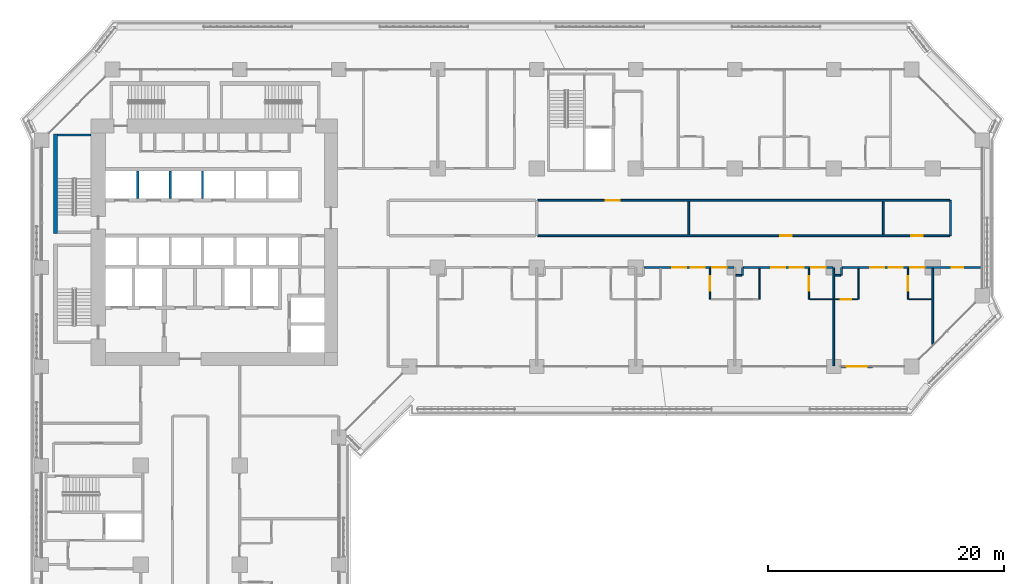
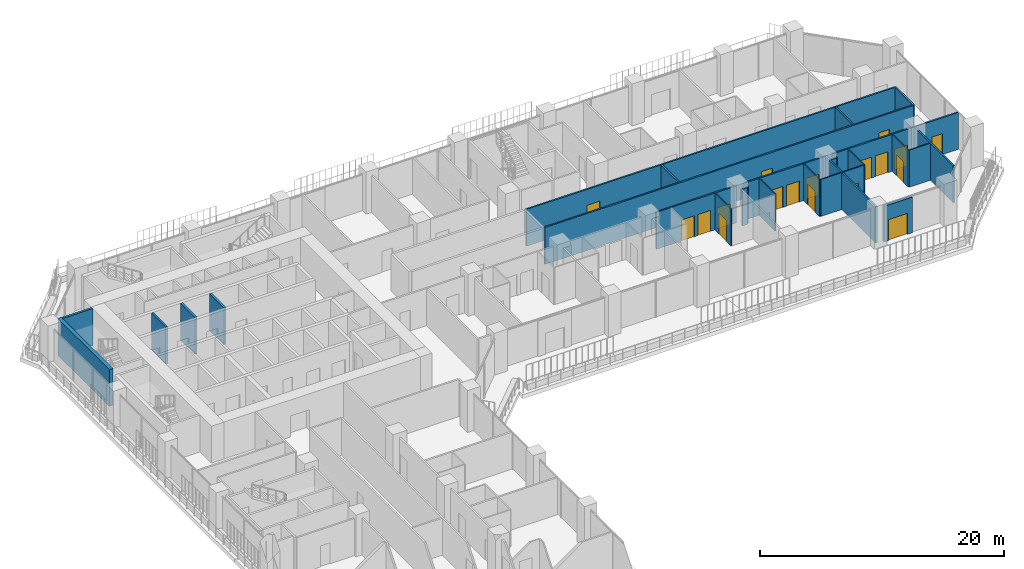
# One storey, part 17 of 28: 27 walls, 18 doors, 18 openings.
"""IFC4 building model written with IfcOpenShell, lengths in metres."""

import ifcopenshell
import ifcopenshell.guid

model = None  # the IFC model being written
_history = None  # IfcOwnerHistory: only IFC2X3 demands one
_inside = {}  # id of a spatial element -> (the spatial element, [elements in it])
_under = {}  # id of a project, library or spatial element -> (it, [spatial elements below it])
_declared = {}  # id of a project -> (the project, [libraries it declares])
_typed = {}  # id of a type object -> (the type object, [elements of that type])
_made_of = {}  # id of a material, layer set ... -> (it, [elements and type objects made of it])


def new_model(schema):
    """Start an empty IFC model of exactly this schema.

    Asked for "IFC4X3", IfcOpenShell would pick the latest addendum, in which some entities
    have other attributes; the version numbers below select the first issue.
    IFC2X3 requires an IfcOwnerHistory on every rooted entity: one is made here for all.
    """
    global model, _history
    if schema == "IFC4X3":
        model = ifcopenshell.file(schema_version=(4, 3, 0, 0))
    else:
        model = ifcopenshell.file(schema=schema)
    _inside.clear()
    _under.clear()
    _declared.clear()
    _typed.clear()
    _made_of.clear()
    _history = None
    if model.schema == "IFC2X3":
        org = make("IfcOrganization", Name="unknown")
        user = make(
            "IfcPersonAndOrganization",
            ThePerson=make("IfcPerson", FamilyName="unknown"),
            TheOrganization=org,
        )
        app = make(
            "IfcApplication",
            ApplicationDeveloper=org,
            Version="unknown",
            ApplicationFullName="unknown",
            ApplicationIdentifier="unknown",
        )
        _history = make(
            "IfcOwnerHistory",
            OwningUser=user,
            OwningApplication=app,
            ChangeAction="ADDED",
            CreationDate=0,
        )
    return model


def make(cls, **values):
    """One entity of the class cls with the attributes given. An attribute that is None is left unset."""
    return model.create_entity(
        cls, **{name: value for name, value in values.items() if value is not None}
    )


def rooted(cls, **values):
    """An entity with a GlobalId (a new one), such as an element, a storey or a relation."""
    return make(cls, GlobalId=ifcopenshell.guid.new(), OwnerHistory=_history, **values)


def si_unit(unit_type, name, prefix=None):
    """IfcSIUnit, for example si_unit("LENGTHUNIT", "METRE", prefix="MILLI")."""
    return make("IfcSIUnit", UnitType=unit_type, Prefix=prefix, Name=name)


def assignment(units):
    """IfcUnitAssignment: the units of a project."""
    return None if units is None else make("IfcUnitAssignment", Units=units)


def point(xyz):
    """IfcCartesianPoint."""
    return None if xyz is None else make("IfcCartesianPoint", Coordinates=xyz)


def direction(xyz):
    """IfcDirection."""
    return None if xyz is None else make("IfcDirection", DirectionRatios=xyz)


def frame(location, z_axis=None, x_axis=None):
    """IfcAxis2Placement3D, a coordinate frame: its origin and axes. An axis left out is left unset."""
    return make(
        "IfcAxis2Placement3D",
        Location=point(location),
        Axis=direction(z_axis),
        RefDirection=direction(x_axis),
    )


def frame_2d(location, x_axis=None):
    """IfcAxis2Placement2D, a coordinate frame in the plane: its origin and x axis."""
    return make(
        "IfcAxis2Placement2D", Location=point(location), RefDirection=direction(x_axis)
    )


def origin():
    """The frame at (0, 0, 0) with its axes left unset."""
    return frame((0.0, 0.0, 0.0))


def place(relative_to, where):
    """IfcLocalPlacement: puts the frame where relative to a parent placement (None: the world)."""
    return make(
        "IfcLocalPlacement", PlacementRelTo=relative_to, RelativePlacement=where
    )


def context(
    kind, dimensions, precision=None, world=None, true_north=None, identifier=None
):
    """IfcGeometricRepresentationContext, for example the 3D "Model" context."""
    return make(
        "IfcGeometricRepresentationContext",
        ContextIdentifier=identifier,
        ContextType=kind,
        CoordinateSpaceDimension=dimensions,
        Precision=precision,
        WorldCoordinateSystem=world,
        TrueNorth=true_north,
    )


def subcontext(parent, identifier, kind, view, scale=None):
    """IfcGeometricRepresentationSubContext, for example "Body" below "Model"."""
    return make(
        "IfcGeometricRepresentationSubContext",
        ContextIdentifier=identifier,
        ContextType=kind,
        ParentContext=parent,
        TargetScale=scale,
        TargetView=view,
    )


def project(units=None, contexts=None):
    """IfcProject with its units and contexts."""
    return rooted(
        "IfcProject",
        Name="project",
        RepresentationContexts=contexts,
        UnitsInContext=assignment(units),
    )


def spatial(cls, under=None, at=None, **own):
    """A site, building, storey or space (cls), placed at a placement, below another one or the project."""
    s = rooted(cls, ObjectPlacement=at, **own)
    if under is not None:
        _under.setdefault(under.id(), (under, []))[1].append(s)
    return s


def profile(cls, at=None, kind="AREA", **sizes):
    """A parametric profile (cls). Its sizes go by their IFC names, for example OverallWidth=200.0."""
    return make(cls, ProfileType=kind, Position=at, **sizes)


def rectangle(**sizes):
    """IfcRectangleProfileDef."""
    return profile("IfcRectangleProfileDef", **sizes)


def extrude(swept, where, along, depth):
    """IfcExtrudedAreaSolid: the profile swept, set in the frame where, extruded along a direction by depth."""
    return make(
        "IfcExtrudedAreaSolid",
        SweptArea=swept,
        Position=where,
        ExtrudedDirection=direction(along),
        Depth=depth,
    )


def shape(context_of_items, identifier, shape_type, items):
    """IfcShapeRepresentation: the items that make up one representation, for example the "Body"."""
    return make(
        "IfcShapeRepresentation",
        ContextOfItems=context_of_items,
        RepresentationIdentifier=identifier,
        RepresentationType=shape_type,
        Items=items,
    )


def material(Name=None, Category=None):
    """IfcMaterial."""
    return make("IfcMaterial", Name=Name, Category=Category)


def layer(
    of_material, thickness, ventilated=None, Name=None, Category=None, Priority=None
):
    """IfcMaterialLayer: one layer of a wall or slab, of a material (None: an air gap)."""
    return make(
        "IfcMaterialLayer",
        Material=of_material,
        LayerThickness=thickness,
        IsVentilated=ventilated,
        Name=Name,
        Category=Category,
        Priority=Priority,
    )


def layer_set(layers, Name=None):
    """IfcMaterialLayerSet."""
    return make("IfcMaterialLayerSet", MaterialLayers=layers, LayerSetName=Name)


def made_of(thing, what):
    """Note that an element or type object is made of a material, layer set ...; save() writes the relation."""
    if what is not None:
        _made_of.setdefault(what.id(), (what, []))[1].append(thing)
    return thing


def type_object(cls, material=None, **own):
    """A type object (cls), such as IfcWallType, which elements share."""
    return made_of(rooted(cls, **own), material)


def element(
    cls,
    number,
    at=None,
    inside=None,
    cuts=None,
    type_object=None,
    material=None,
    context=None,
    identifier="Body",
    shape_type=None,
    held_by="IfcProductDefinitionShape",
    body=None,
    shapes=None,
    **own,
):
    """One element of the class cls, such as IfcWall. Its Tag is "e" and its number.

    at: its placement. inside: the storey or other place that contains it. cuts: it is an
    opening in that element (IfcRelVoidsElement). A single representation is given by context,
    identifier, shape_type and body (its items); several are given by shapes. held_by: the class
    of the entity that holds the representations. save() writes the other relations.
    """
    e = rooted(cls, Tag="e%d" % number, ObjectPlacement=at, **own)
    if body is not None:
        shapes = [shape(context, identifier, shape_type, body)]
    if shapes is not None:
        e.Representation = make(held_by, Representations=shapes)
    if inside is not None:
        _inside.setdefault(inside.id(), (inside, []))[1].append(e)
    if cuts is not None:
        rooted(
            "IfcRelVoidsElement", RelatingBuildingElement=cuts, RelatedOpeningElement=e
        )
    if type_object is not None:
        _typed.setdefault(type_object.id(), (type_object, []))[1].append(e)
    return made_of(e, material)


def fill(opening, filler):
    """IfcRelFillsElement: the door or window that sits in an opening."""
    return rooted(
        "IfcRelFillsElement",
        RelatingOpeningElement=opening,
        RelatedBuildingElement=filler,
    )


def aggregate(whole, parts):
    """IfcRelAggregates: a whole, such as a stair, and the parts it consists of."""
    return rooted("IfcRelAggregates", RelatingObject=whole, RelatedObjects=parts)


def save(model, path):
    """Write the relations noted so far, then the file.

    IfcRelAggregates (storeys below a building ...), IfcRelContainedInSpatialStructure (elements
    in a storey), IfcRelDefinesByType, IfcRelAssociatesMaterial and IfcRelDeclares: one each for
    every whole, place, type object, material and project.
    """
    for whole, parts in _under.values():
        aggregate(whole, parts)
    for where, things in _inside.values():
        rooted(
            "IfcRelContainedInSpatialStructure",
            RelatedElements=things,
            RelatingStructure=where,
        )
    for kind, things in _typed.values():
        rooted("IfcRelDefinesByType", RelatedObjects=things, RelatingType=kind)
    for what, things in _made_of.values():
        rooted("IfcRelAssociatesMaterial", RelatedObjects=things, RelatingMaterial=what)
    for by, libraries in _declared.values():
        rooted("IfcRelDeclares", RelatingContext=by, RelatedDefinitions=libraries)
    model.write(path)


model = new_model("IFC4")

# Units and contexts
model_context = context("Model", 3, precision=1e-05, world=origin(), true_north=direction((0.0, 1.0)))
body_context = subcontext(model_context, "Body", "Model", "MODEL_VIEW")
ifc_project = project(units=[si_unit("LENGTHUNIT", "METRE"), si_unit("AREAUNIT", "SQUARE_METRE"), si_unit("VOLUMEUNIT", "CUBIC_METRE"), si_unit("PLANEANGLEUNIT", "RADIAN"), si_unit("MASSUNIT", "GRAM", prefix="KILO")], contexts=[model_context])

# Site, building, storey
site_placement = place(None, origin())
site = spatial("IfcSite", under=ifc_project, at=site_placement, CompositionType="ELEMENT")
building_placement = place(site_placement, origin())
building = spatial("IfcBuilding", under=site, at=building_placement, Name="Kawkab Arch Medical Tower", CompositionType="ELEMENT")
storey_placement = place(building_placement, frame((0.0, 0.0, 89.60009765625)))
storey = spatial("IfcBuildingStorey", under=building, at=storey_placement, Name="L20", CompositionType="ELEMENT", Elevation=89.60009765625)

# Wall, opening, door
ifc_material_1 = material(Name="Bronze clad insulated wall panel")
ifc_layer_1 = layer(ifc_material_1, 0.25)
ifc_layer_set_1 = layer_set([ifc_layer_1], Name="Bronze clad insulated wall panel")
wall_type_1 = type_object("IfcWallType", Name="External wall bay 250", PredefinedType="SOLIDWALL", material=ifc_layer_set_1)
wall_1_placement = place(storey_placement, frame((67.800048828125, -25.199951171875, 0.0), z_axis=(0.0, 0.0, 1.0), x_axis=(1.0, 0.0, 0.0)))
wall_1 = element("IfcWall", 1, at=wall_1_placement, inside=storey, type_object=wall_type_1, Name="External wall bay L20.R07.5.1", PredefinedType="SOLIDWALL", context=body_context, shape_type="SweptSolid", body=[
    extrude(rectangle(XDim=2.6875, YDim=0.25, at=frame_2d((1.34375, 0.0))), origin(), (0.0, 0.0, 1.0), 3.579833984375),
])
opening_1_placement = place(wall_1_placement, frame((0.443603515625, 0.0, 0.0)))
opening_1 = element("IfcOpeningElement", 2, at=opening_1_placement, cuts=wall_1, Name="Opening W13B-702", PredefinedType="OPENING", context=body_context, shape_type="SweptSolid", body=[
    extrude(rectangle(XDim=1.800048828125, YDim=2.10009765625, at=frame_2d((0.89990234375, 1.050048828125))), frame((0.0, 0.135009765625, 0.0), z_axis=(0.0, -1.0, 0.0), x_axis=(1.0, 0.0, 0.0)), (0.0, 0.0, 1.0), 0.27001953125),
])
ifc_material_2 = material(Name="Bronze anodised aluminium door with tinted glass", Category="aluminium")
door_type_1 = type_object("IfcDoorType", Name="Double external door 1800 x 2100", OperationType="DOUBLE_DOOR_SINGLE_SWING", PredefinedType="DOOR", material=ifc_material_2)
door_1_placement = place(opening_1_placement, origin())
door_1 = element("IfcDoor", 3, at=door_1_placement, inside=storey, type_object=door_type_1, Name="External door L20.R07.5.1", OperationType="DOUBLE_DOOR_SINGLE_SWING", OverallHeight=2.10009765625, OverallWidth=1.800048828125, PredefinedType="DOOR", context=body_context, shape_type="SweptSolid", body=[
    extrude(rectangle(XDim=1.800048828125, YDim=2.10009765625, at=frame_2d((0.89990234375, 1.050048828125))), frame((0.0, 0.02490234375, 0.0), z_axis=(0.0, -1.0, 0.0), x_axis=(1.0, 0.0, 0.0)), (0.0, 0.0, 1.0), 0.050048828125),
])
fill(opening_1, door_1)

# Walls
ifc_material_3 = material(Name="Dense concrete blockwork", Category="masonry")
ifc_layer_2 = layer(ifc_material_3, 0.199951171875)
ifc_layer_set_2 = layer_set([ifc_layer_2], Name="Dense concrete blockwork")
wall_type_2 = type_object("IfcWallType", Name="Lift shaft partition 200", PredefinedType="PARTITIONING", material=ifc_layer_set_2)
for number, where, z_axis, x_axis, name in (
    (4, (8.14990234375, -10.949951171875, 0.0), (0.0, 0.0, 1.0), (0.0, 1.0, 0.0), "L20 lift shaft partition"),
    (5, (10.89990234375, -10.949951171875, 0.0), (0.0, 0.0, 1.0), (0.0, 1.0, 0.0), "L20 lift shaft partition"),
    (6, (13.64990234375, -10.949951171875, 0.0), (0.0, 0.0, 1.0), (0.0, 1.0, 0.0), "L20 lift shaft partition"),
):
    element("IfcWall", number, at=place(storey_placement, frame(where, z_axis=z_axis, x_axis=x_axis)), inside=storey, type_object=wall_type_2, Name=name, PredefinedType="PARTITIONING", context=body_context, shape_type="SweptSolid", body=[
        extrude(rectangle(XDim=2.349853515625, YDim=0.199951171875, at=frame_2d((1.1748046875, 0.0))), origin(), (0.0, 0.0, 1.0), 3.699951171875),
    ])

# Wall, opening, door
ifc_material_4 = material(Name="Gypsum board partition on steel studs", Category="steel")
ifc_layer_3 = layer(ifc_material_4, 0.10009765625)
ifc_layer_set_3 = layer_set([ifc_layer_3], Name="Gypsum board partition on steel studs")
wall_type_3 = type_object("IfcWallType", Name="Partition 100", PredefinedType="PARTITIONING", material=ifc_layer_set_3)
wall_2_placement = place(storey_placement, frame((65.14990234375, -19.5, 0.0), z_axis=(0.0, 0.0, 1.0), x_axis=(1.0, 0.0, 0.0)))
wall_2 = element("IfcWall", 7, at=wall_2_placement, inside=storey, type_object=wall_type_3, Name="Partition 100 w016", PredefinedType="PARTITIONING", context=body_context, shape_type="SweptSolid", body=[
    extrude(rectangle(XDim=4.10009765625, YDim=0.10009765625, at=frame_2d((2.050048828125, 0.0))), origin(), (0.0, 0.0, 1.0), 3.699951171875),
])
opening_2_placement = place(wall_2_placement, frame((2.64990234375, 0.0, 0.0)))
opening_2 = element("IfcOpeningElement", 8, at=opening_2_placement, cuts=wall_2, Name="Opening W13B-008", PredefinedType="OPENING", context=body_context, shape_type="SweptSolid", body=[
    extrude(rectangle(XDim=0.89990234375, YDim=2.10009765625, at=frame_2d((0.449951171875, 1.050048828125))), frame((0.0, 0.06005859375, 0.0), z_axis=(0.0, -1.0, 0.0), x_axis=(1.0, 0.0, 0.0)), (0.0, 0.0, 1.0), 0.1201171875),
])
ifc_material_5 = material(Name="Timber door leaf", Category="wood")
door_type_2 = type_object("IfcDoorType", Name="Single door 900x2100", OperationType="NOTDEFINED", PredefinedType="DOOR", material=ifc_material_5)
door_2_placement = place(opening_2_placement, origin())
door_2 = element("IfcDoor", 9, at=door_2_placement, inside=storey, type_object=door_type_2, Name="Door W13B-008", OperationType="SINGLE_SWING_LEFT", OverallHeight=2.10009765625, OverallWidth=0.89990234375, PredefinedType="DOOR", context=body_context, shape_type="SweptSolid", body=[
    extrude(rectangle(XDim=0.89990234375, YDim=2.10009765625, at=frame_2d((0.449951171875, 1.050048828125))), frame((0.0, 0.02490234375, 0.0), z_axis=(0.0, -1.0, 0.0), x_axis=(1.0, 0.0, 0.0)), (0.0, 0.0, 1.0), 0.050048828125),
])
fill(opening_2, door_2)

# Wall
wall_3_placement = place(storey_placement, frame((73.550048828125, -19.5, 0.0), z_axis=(0.0, 0.0, 1.0), x_axis=(1.0, 0.0, 0.0)))
element("IfcWall", 10, at=wall_3_placement, inside=storey, type_object=wall_type_3, Name="Partition 100 w017", PredefinedType="PARTITIONING", context=body_context, shape_type="SweptSolid", body=[
    extrude(rectangle(XDim=1.974853515625, YDim=0.10009765625, at=frame_2d((0.9873046875, 0.0))), origin(), (0.0, 0.0, 1.0), 3.699951171875),
])

# Wall, opening, door
wall_4_placement = place(storey_placement, frame((56.699951171875, -19.5, 0.0), z_axis=(0.0, 0.0, 1.0), x_axis=(0.0, 1.0, 0.0)))
wall_4 = element("IfcWall", 11, at=wall_4_placement, inside=storey, type_object=wall_type_3, Name="Partition 100 w035", PredefinedType="PARTITIONING", context=body_context, shape_type="SweptSolid", body=[
    extrude(rectangle(XDim=2.625, YDim=0.10009765625, at=frame_2d((1.3125, 0.0))), origin(), (0.0, 0.0, 1.0), 3.699951171875),
])
opening_3_placement = place(wall_4_placement, frame((0.75, 0.0, 0.0)))
opening_3 = element("IfcOpeningElement", 12, at=opening_3_placement, cuts=wall_4, Name="Opening W13B-058", PredefinedType="OPENING", context=body_context, shape_type="SweptSolid", body=[
    extrude(rectangle(XDim=1.199951171875, YDim=2.10009765625, at=frame_2d((0.60009765625, 1.050048828125))), frame((0.0, 0.06005859375, 0.0), z_axis=(0.0, -1.0, 0.0), x_axis=(1.0, 0.0, 0.0)), (0.0, 0.0, 1.0), 0.1201171875),
])
ifc_material_6 = material(Name="Timber door leaf", Category="wood")
door_type_3 = type_object("IfcDoorType", Name="Single door 1200x2100", OperationType="NOTDEFINED", PredefinedType="DOOR", material=ifc_material_6)
door_3_placement = place(opening_3_placement, origin())
door_3 = element("IfcDoor", 13, at=door_3_placement, inside=storey, type_object=door_type_3, Name="Door W13B-058", OperationType="SINGLE_SWING_LEFT", OverallHeight=2.10009765625, OverallWidth=1.199951171875, PredefinedType="DOOR", context=body_context, shape_type="SweptSolid", body=[
    extrude(rectangle(XDim=1.199951171875, YDim=2.10009765625, at=frame_2d((0.60009765625, 1.050048828125))), frame((0.0, 0.02490234375, 0.0), z_axis=(0.0, -1.0, 0.0), x_axis=(1.0, 0.0, 0.0)), (0.0, 0.0, 1.0), 0.050048828125),
])
fill(opening_3, door_3)

# Wall
wall_5_placement = place(storey_placement, frame((60.89990234375, -19.5, 0.0), z_axis=(0.0, 0.0, 1.0), x_axis=(0.0, 1.0, 0.0)))
element("IfcWall", 14, at=wall_5_placement, inside=storey, type_object=wall_type_3, Name="Partition 100 w036", PredefinedType="PARTITIONING", context=body_context, shape_type="SweptSolid", body=[
    extrude(rectangle(XDim=2.625, YDim=0.10009765625, at=frame_2d((1.3125, 0.0))), origin(), (0.0, 0.0, 1.0), 3.699951171875),
])

# Wall, opening, door
wall_6_placement = place(storey_placement, frame((65.10009765625, -19.5, 0.0), z_axis=(0.0, 0.0, 1.0), x_axis=(0.0, 1.0, 0.0)))
wall_6 = element("IfcWall", 15, at=wall_6_placement, inside=storey, type_object=wall_type_3, Name="Partition 100 w038", PredefinedType="PARTITIONING", context=body_context, shape_type="SweptSolid", body=[
    extrude(rectangle(XDim=2.625, YDim=0.10009765625, at=frame_2d((1.3125, 0.0))), origin(), (0.0, 0.0, 1.0), 3.699951171875),
])
opening_4_placement = place(wall_6_placement, frame((0.75, 0.0, 0.0)))
opening_4 = element("IfcOpeningElement", 16, at=opening_4_placement, cuts=wall_6, Name="Opening W13B-062", PredefinedType="OPENING", context=body_context, shape_type="SweptSolid", body=[
    extrude(rectangle(XDim=1.199951171875, YDim=2.10009765625, at=frame_2d((0.60009765625, 1.050048828125))), frame((0.0, 0.06005859375, 0.0), z_axis=(0.0, -1.0, 0.0), x_axis=(1.0, 0.0, 0.0)), (0.0, 0.0, 1.0), 0.1201171875),
])
door_4_placement = place(opening_4_placement, origin())
door_4 = element("IfcDoor", 17, at=door_4_placement, inside=storey, type_object=door_type_3, Name="Door W13B-062", OperationType="SINGLE_SWING_RIGHT", OverallHeight=2.10009765625, OverallWidth=1.199951171875, PredefinedType="DOOR", context=body_context, shape_type="SweptSolid", body=[
    extrude(rectangle(XDim=1.199951171875, YDim=2.10009765625, at=frame_2d((0.60009765625, 1.050048828125))), frame((0.0, 0.02490234375, 0.0), z_axis=(0.0, -1.0, 0.0), x_axis=(1.0, 0.0, 0.0)), (0.0, 0.0, 1.0), 0.050048828125),
])
fill(opening_4, door_4)

# Wall
wall_7_placement = place(storey_placement, frame((69.300048828125, -19.5, 0.0), z_axis=(0.0, 0.0, 1.0), x_axis=(0.0, 1.0, 0.0)))
element("IfcWall", 18, at=wall_7_placement, inside=storey, type_object=wall_type_3, Name="Partition 100 w040", PredefinedType="PARTITIONING", context=body_context, shape_type="SweptSolid", body=[
    extrude(rectangle(XDim=2.625, YDim=0.10009765625, at=frame_2d((1.3125, 0.0))), origin(), (0.0, 0.0, 1.0), 3.699951171875),
])

# Wall, opening, door
wall_8_placement = place(storey_placement, frame((73.5, -19.5, 0.0), z_axis=(0.0, 0.0, 1.0), x_axis=(0.0, 1.0, 0.0)))
wall_8 = element("IfcWall", 19, at=wall_8_placement, inside=storey, type_object=wall_type_3, Name="Partition 100 w042", PredefinedType="PARTITIONING", context=body_context, shape_type="SweptSolid", body=[
    extrude(rectangle(XDim=2.625, YDim=0.10009765625, at=frame_2d((1.3125, 0.0))), origin(), (0.0, 0.0, 1.0), 3.699951171875),
])
opening_5_placement = place(wall_8_placement, frame((0.75, 0.0, 0.0)))
opening_5 = element("IfcOpeningElement", 20, at=opening_5_placement, cuts=wall_8, Name="Opening W13B-066", PredefinedType="OPENING", context=body_context, shape_type="SweptSolid", body=[
    extrude(rectangle(XDim=1.199951171875, YDim=2.10009765625, at=frame_2d((0.60009765625, 1.050048828125))), frame((0.0, 0.06005859375, 0.0), z_axis=(0.0, -1.0, 0.0), x_axis=(1.0, 0.0, 0.0)), (0.0, 0.0, 1.0), 0.1201171875),
])
door_5_placement = place(opening_5_placement, origin())
door_5 = element("IfcDoor", 21, at=door_5_placement, inside=storey, type_object=door_type_3, Name="Door W13B-066", OperationType="SINGLE_SWING_LEFT", OverallHeight=2.10009765625, OverallWidth=1.199951171875, PredefinedType="DOOR", context=body_context, shape_type="SweptSolid", body=[
    extrude(rectangle(XDim=1.199951171875, YDim=2.10009765625, at=frame_2d((0.60009765625, 1.050048828125))), frame((0.0, 0.02490234375, 0.0), z_axis=(0.0, -1.0, 0.0), x_axis=(1.0, 0.0, 0.0)), (0.0, 0.0, 1.0), 0.050048828125),
])
fill(opening_5, door_5)

# Walls
ifc_material_7 = material(Name="Gypsum board partition on steel studs, mineral wool", Category="steel")
ifc_layer_4 = layer(ifc_material_7, 0.14990234375)
ifc_layer_set_4 = layer_set([ifc_layer_4], Name="Gypsum board partition on steel studs, mineral wool")
wall_type_4 = type_object("IfcWallType", Name="Partition 150", PredefinedType="PARTITIONING", material=ifc_layer_set_4)
for number, where, z_axis, x_axis, name in (
    (22, (58.875, -17.449951171875, 0.0), (0.0, 0.0, 1.0), (1.0, 0.0, 0.0), "Partition 150 w068"),
    (23, (67.27490234375, -17.449951171875, 0.0), (0.0, 0.0, 1.0), (1.0, 0.0, 0.0), "Partition 150 w069"),
):
    element("IfcWall", number, at=place(storey_placement, frame(where, z_axis=z_axis, x_axis=x_axis)), inside=storey, type_object=wall_type_4, Name=name, PredefinedType="PARTITIONING", context=body_context, shape_type="SweptSolid", body=[
        extrude(rectangle(XDim=0.5, YDim=0.14990234375, at=frame_2d((0.25, 0.0))), origin(), (0.0, 0.0, 1.0), 3.699951171875),
    ])

# Wall, openings, doors
wall_9_placement = place(storey_placement, frame((51.1279296875, -16.800048828125, 0.0), z_axis=(0.0, 0.0, 1.0), x_axis=(1.0, 0.0, 0.0)))
wall_9 = element("IfcWall", 24, at=wall_9_placement, inside=storey, type_object=wall_type_4, Name="Partition 150 w072", PredefinedType="PARTITIONING", context=body_context, shape_type="SweptSolid", body=[
    extrude(rectangle(XDim=7.593994140625, YDim=0.14990234375, at=frame_2d((3.796875, 0.0))), origin(), (0.0, 0.0, 1.0), 3.699951171875),
])
opening_6_placement = place(wall_9_placement, frame((3.922119140625, 0.0, 0.0)))
opening_6 = element("IfcOpeningElement", 25, at=opening_6_placement, cuts=wall_9, Name="Opening W13B-055", PredefinedType="OPENING", context=body_context, shape_type="SweptSolid", body=[
    extrude(rectangle(XDim=1.199951171875, YDim=2.10009765625, at=frame_2d((0.60009765625, 1.050048828125))), frame((0.0, 0.0849609375, 0.0), z_axis=(0.0, -1.0, 0.0), x_axis=(1.0, 0.0, 0.0)), (0.0, 0.0, 1.0), 0.169921875),
])
opening_7_placement = place(wall_9_placement, frame((2.3720703125, 0.0, 0.0)))
opening_7 = element("IfcOpeningElement", 26, at=opening_7_placement, cuts=wall_9, Name="Opening W13B-056", PredefinedType="OPENING", context=body_context, shape_type="SweptSolid", body=[
    extrude(rectangle(XDim=1.199951171875, YDim=2.10009765625, at=frame_2d((0.60009765625, 1.050048828125))), frame((0.0, 0.0849609375, 0.0), z_axis=(0.0, -1.0, 0.0), x_axis=(1.0, 0.0, 0.0)), (0.0, 0.0, 1.0), 0.169921875),
])
opening_8_placement = place(wall_9_placement, frame((5.77197265625, 0.0, 0.0)))
opening_8 = element("IfcOpeningElement", 27, at=opening_8_placement, cuts=wall_9, Name="Opening W13B-057", PredefinedType="OPENING", context=body_context, shape_type="SweptSolid", body=[
    extrude(rectangle(XDim=1.199951171875, YDim=2.10009765625, at=frame_2d((0.60009765625, 1.050048828125))), frame((0.0, 0.0849609375, 0.0), z_axis=(0.0, -1.0, 0.0), x_axis=(1.0, 0.0, 0.0)), (0.0, 0.0, 1.0), 0.169921875),
])
ifc_material_8 = material(Name="Hollow metal door leaf")
door_type_4 = type_object("IfcDoorType", Name="Single door 1200x2100 FD30S", OperationType="NOTDEFINED", PredefinedType="DOOR", material=ifc_material_8)
door_6_placement = place(opening_6_placement, origin())
door_6 = element("IfcDoor", 28, at=door_6_placement, inside=storey, type_object=door_type_4, Name="Door W13B-055", OperationType="SINGLE_SWING_LEFT", OverallHeight=2.10009765625, OverallWidth=1.199951171875, PredefinedType="DOOR", context=body_context, shape_type="SweptSolid", body=[
    extrude(rectangle(XDim=1.199951171875, YDim=2.10009765625, at=frame_2d((0.60009765625, 1.050048828125))), frame((0.0, 0.02490234375, 0.0), z_axis=(0.0, -1.0, 0.0), x_axis=(1.0, 0.0, 0.0)), (0.0, 0.0, 1.0), 0.050048828125),
])
fill(opening_6, door_6)
door_7_placement = place(opening_7_placement, origin())
door_7 = element("IfcDoor", 29, at=door_7_placement, inside=storey, type_object=door_type_4, Name="Door W13B-056", OperationType="SINGLE_SWING_RIGHT", OverallHeight=2.10009765625, OverallWidth=1.199951171875, PredefinedType="DOOR", context=body_context, shape_type="SweptSolid", body=[
    extrude(rectangle(XDim=1.199951171875, YDim=2.10009765625, at=frame_2d((0.60009765625, 1.050048828125))), frame((0.0, 0.02490234375, 0.0), z_axis=(0.0, -1.0, 0.0), x_axis=(1.0, 0.0, 0.0)), (0.0, 0.0, 1.0), 0.050048828125),
])
fill(opening_7, door_7)
door_8_placement = place(opening_8_placement, origin())
door_8 = element("IfcDoor", 30, at=door_8_placement, inside=storey, type_object=door_type_4, Name="Door W13B-057", OperationType="SINGLE_SWING_LEFT", OverallHeight=2.10009765625, OverallWidth=1.199951171875, PredefinedType="DOOR", context=body_context, shape_type="SweptSolid", body=[
    extrude(rectangle(XDim=1.199951171875, YDim=2.10009765625, at=frame_2d((0.60009765625, 1.050048828125))), frame((0.0, 0.02490234375, 0.0), z_axis=(0.0, -1.0, 0.0), x_axis=(1.0, 0.0, 0.0)), (0.0, 0.0, 1.0), 0.050048828125),
])
fill(opening_8, door_8)

wall_10_placement = place(storey_placement, frame((59.528076171875, -16.800048828125, 0.0), z_axis=(0.0, 0.0, 1.0), x_axis=(1.0, 0.0, 0.0)))
wall_10 = element("IfcWall", 31, at=wall_10_placement, inside=storey, type_object=wall_type_4, Name="Partition 150 w073", PredefinedType="PARTITIONING", context=body_context, shape_type="SweptSolid", body=[
    extrude(rectangle(XDim=7.593994140625, YDim=0.14990234375, at=frame_2d((3.796875, 0.0))), origin(), (0.0, 0.0, 1.0), 3.699951171875),
])
opening_9_placement = place(wall_10_placement, frame((3.922119140625, 0.0, 0.0)))
opening_9 = element("IfcOpeningElement", 32, at=opening_9_placement, cuts=wall_10, Name="Opening W13B-059", PredefinedType="OPENING", context=body_context, shape_type="SweptSolid", body=[
    extrude(rectangle(XDim=1.199951171875, YDim=2.10009765625, at=frame_2d((0.60009765625, 1.050048828125))), frame((0.0, 0.0849609375, 0.0), z_axis=(0.0, -1.0, 0.0), x_axis=(1.0, 0.0, 0.0)), (0.0, 0.0, 1.0), 0.169921875),
])
opening_10_placement = place(wall_10_placement, frame((2.3720703125, 0.0, 0.0)))
opening_10 = element("IfcOpeningElement", 33, at=opening_10_placement, cuts=wall_10, Name="Opening W13B-060", PredefinedType="OPENING", context=body_context, shape_type="SweptSolid", body=[
    extrude(rectangle(XDim=1.199951171875, YDim=2.10009765625, at=frame_2d((0.60009765625, 1.050048828125))), frame((0.0, 0.0849609375, 0.0), z_axis=(0.0, -1.0, 0.0), x_axis=(1.0, 0.0, 0.0)), (0.0, 0.0, 1.0), 0.169921875),
])
opening_11_placement = place(wall_10_placement, frame((5.77197265625, 0.0, 0.0)))
opening_11 = element("IfcOpeningElement", 34, at=opening_11_placement, cuts=wall_10, Name="Opening W13B-061", PredefinedType="OPENING", context=body_context, shape_type="SweptSolid", body=[
    extrude(rectangle(XDim=1.199951171875, YDim=2.10009765625, at=frame_2d((0.60009765625, 1.050048828125))), frame((0.0, 0.0849609375, 0.0), z_axis=(0.0, -1.0, 0.0), x_axis=(1.0, 0.0, 0.0)), (0.0, 0.0, 1.0), 0.169921875),
])
door_9_placement = place(opening_9_placement, origin())
door_9 = element("IfcDoor", 35, at=door_9_placement, inside=storey, type_object=door_type_4, Name="Door W13B-059", OperationType="SINGLE_SWING_LEFT", OverallHeight=2.10009765625, OverallWidth=1.199951171875, PredefinedType="DOOR", context=body_context, shape_type="SweptSolid", body=[
    extrude(rectangle(XDim=1.199951171875, YDim=2.10009765625, at=frame_2d((0.60009765625, 1.050048828125))), frame((0.0, 0.02490234375, 0.0), z_axis=(0.0, -1.0, 0.0), x_axis=(1.0, 0.0, 0.0)), (0.0, 0.0, 1.0), 0.050048828125),
])
fill(opening_9, door_9)
door_10_placement = place(opening_10_placement, origin())
door_10 = element("IfcDoor", 36, at=door_10_placement, inside=storey, type_object=door_type_4, Name="Door W13B-060", OperationType="SINGLE_SWING_RIGHT", OverallHeight=2.10009765625, OverallWidth=1.199951171875, PredefinedType="DOOR", context=body_context, shape_type="SweptSolid", body=[
    extrude(rectangle(XDim=1.199951171875, YDim=2.10009765625, at=frame_2d((0.60009765625, 1.050048828125))), frame((0.0, 0.02490234375, 0.0), z_axis=(0.0, -1.0, 0.0), x_axis=(1.0, 0.0, 0.0)), (0.0, 0.0, 1.0), 0.050048828125),
])
fill(opening_10, door_10)
door_11_placement = place(opening_11_placement, origin())
door_11 = element("IfcDoor", 37, at=door_11_placement, inside=storey, type_object=door_type_4, Name="Door W13B-061", OperationType="SINGLE_SWING_LEFT", OverallHeight=2.10009765625, OverallWidth=1.199951171875, PredefinedType="DOOR", context=body_context, shape_type="SweptSolid", body=[
    extrude(rectangle(XDim=1.199951171875, YDim=2.10009765625, at=frame_2d((0.60009765625, 1.050048828125))), frame((0.0, 0.02490234375, 0.0), z_axis=(0.0, -1.0, 0.0), x_axis=(1.0, 0.0, 0.0)), (0.0, 0.0, 1.0), 0.050048828125),
])
fill(opening_11, door_11)

wall_11_placement = place(storey_placement, frame((67.927978515625, -16.800048828125, 0.0), z_axis=(0.0, 0.0, 1.0), x_axis=(1.0, 0.0, 0.0)))
wall_11 = element("IfcWall", 38, at=wall_11_placement, inside=storey, type_object=wall_type_4, Name="Partition 150 w074", PredefinedType="PARTITIONING", context=body_context, shape_type="SweptSolid", body=[
    extrude(rectangle(XDim=11.7919921875, YDim=0.14990234375, at=frame_2d((5.89599609375, 0.0))), origin(), (0.0, 0.0, 1.0), 3.699951171875),
])
opening_12_placement = place(wall_11_placement, frame((3.922119140625, 0.0, 0.0)))
opening_12 = element("IfcOpeningElement", 39, at=opening_12_placement, cuts=wall_11, Name="Opening W13B-063", PredefinedType="OPENING", context=body_context, shape_type="SweptSolid", body=[
    extrude(rectangle(XDim=1.199951171875, YDim=2.10009765625, at=frame_2d((0.60009765625, 1.050048828125))), frame((0.0, 0.0849609375, 0.0), z_axis=(0.0, -1.0, 0.0), x_axis=(1.0, 0.0, 0.0)), (0.0, 0.0, 1.0), 0.169921875),
])
opening_13_placement = place(wall_11_placement, frame((2.3720703125, 0.0, 0.0)))
opening_13 = element("IfcOpeningElement", 40, at=opening_13_placement, cuts=wall_11, Name="Opening W13B-064", PredefinedType="OPENING", context=body_context, shape_type="SweptSolid", body=[
    extrude(rectangle(XDim=1.199951171875, YDim=2.10009765625, at=frame_2d((0.60009765625, 1.050048828125))), frame((0.0, 0.0849609375, 0.0), z_axis=(0.0, -1.0, 0.0), x_axis=(1.0, 0.0, 0.0)), (0.0, 0.0, 1.0), 0.169921875),
])
opening_14_placement = place(wall_11_placement, frame((5.77197265625, 0.0, 0.0)))
opening_14 = element("IfcOpeningElement", 41, at=opening_14_placement, cuts=wall_11, Name="Opening W13B-065", PredefinedType="OPENING", context=body_context, shape_type="SweptSolid", body=[
    extrude(rectangle(XDim=1.199951171875, YDim=2.10009765625, at=frame_2d((0.60009765625, 1.050048828125))), frame((0.0, 0.0849609375, 0.0), z_axis=(0.0, -1.0, 0.0), x_axis=(1.0, 0.0, 0.0)), (0.0, 0.0, 1.0), 0.169921875),
])
opening_15_placement = place(wall_11_placement, frame((9.27197265625, 0.0, 0.0)))
opening_15 = element("IfcOpeningElement", 42, at=opening_15_placement, cuts=wall_11, Name="Opening W13B-026", PredefinedType="OPENING", context=body_context, shape_type="SweptSolid", body=[
    extrude(rectangle(XDim=1.0, YDim=2.10009765625, at=frame_2d((0.5, 1.050048828125))), frame((0.0, 0.0849609375, 0.0), z_axis=(0.0, -1.0, 0.0), x_axis=(1.0, 0.0, 0.0)), (0.0, 0.0, 1.0), 0.169921875),
])
ifc_material_9 = material(Name="Hollow metal door leaf")
door_type_5 = type_object("IfcDoorType", Name="Single door 1000x2100 FD30S", OperationType="NOTDEFINED", PredefinedType="DOOR", material=ifc_material_9)
door_12_placement = place(opening_15_placement, origin())
door_12 = element("IfcDoor", 43, at=door_12_placement, inside=storey, type_object=door_type_5, Name="Door W13B-026", OperationType="SINGLE_SWING_LEFT", OverallHeight=2.10009765625, OverallWidth=1.0, PredefinedType="DOOR", context=body_context, shape_type="SweptSolid", body=[
    extrude(rectangle(XDim=1.0, YDim=2.10009765625, at=frame_2d((0.5, 1.050048828125))), frame((0.0, 0.02490234375, 0.0), z_axis=(0.0, -1.0, 0.0), x_axis=(1.0, 0.0, 0.0)), (0.0, 0.0, 1.0), 0.050048828125),
])
fill(opening_15, door_12)
door_13_placement = place(opening_12_placement, origin())
door_13 = element("IfcDoor", 44, at=door_13_placement, inside=storey, type_object=door_type_4, Name="Door W13B-063", OperationType="SINGLE_SWING_RIGHT", OverallHeight=2.10009765625, OverallWidth=1.199951171875, PredefinedType="DOOR", context=body_context, shape_type="SweptSolid", body=[
    extrude(rectangle(XDim=1.199951171875, YDim=2.10009765625, at=frame_2d((0.60009765625, 1.050048828125))), frame((0.0, 0.02490234375, 0.0), z_axis=(0.0, -1.0, 0.0), x_axis=(1.0, 0.0, 0.0)), (0.0, 0.0, 1.0), 0.050048828125),
])
fill(opening_12, door_13)
door_14_placement = place(opening_13_placement, origin())
door_14 = element("IfcDoor", 45, at=door_14_placement, inside=storey, type_object=door_type_4, Name="Door W13B-064", OperationType="SINGLE_SWING_RIGHT", OverallHeight=2.10009765625, OverallWidth=1.199951171875, PredefinedType="DOOR", context=body_context, shape_type="SweptSolid", body=[
    extrude(rectangle(XDim=1.199951171875, YDim=2.10009765625, at=frame_2d((0.60009765625, 1.050048828125))), frame((0.0, 0.02490234375, 0.0), z_axis=(0.0, -1.0, 0.0), x_axis=(1.0, 0.0, 0.0)), (0.0, 0.0, 1.0), 0.050048828125),
])
fill(opening_13, door_14)
door_15_placement = place(opening_14_placement, origin())
door_15 = element("IfcDoor", 46, at=door_15_placement, inside=storey, type_object=door_type_4, Name="Door W13B-065", OperationType="SINGLE_SWING_LEFT", OverallHeight=2.10009765625, OverallWidth=1.199951171875, PredefinedType="DOOR", context=body_context, shape_type="SweptSolid", body=[
    extrude(rectangle(XDim=1.199951171875, YDim=2.10009765625, at=frame_2d((0.60009765625, 1.050048828125))), frame((0.0, 0.02490234375, 0.0), z_axis=(0.0, -1.0, 0.0), x_axis=(1.0, 0.0, 0.0)), (0.0, 0.0, 1.0), 0.050048828125),
])
fill(opening_14, door_15)

wall_12_placement = place(storey_placement, frame((42.10009765625, -14.10009765625, 0.0), z_axis=(0.0, 0.0, 1.0), x_axis=(1.0, 0.0, 0.0)))
wall_12 = element("IfcWall", 47, at=wall_12_placement, inside=storey, type_object=wall_type_4, Name="Partition 150 w075", PredefinedType="PARTITIONING", context=body_context, shape_type="SweptSolid", body=[
    extrude(rectangle(XDim=34.9248046875, YDim=0.14990234375, at=frame_2d((17.46240234375, 0.0))), origin(), (0.0, 0.0, 1.0), 3.699951171875),
])
opening_16_placement = place(wall_12_placement, frame((20.550048828125, 0.0, 0.0)))
opening_16 = element("IfcOpeningElement", 48, at=opening_16_placement, cuts=wall_12, Name="Opening W13B-024", PredefinedType="OPENING", context=body_context, shape_type="SweptSolid", body=[
    extrude(rectangle(XDim=1.0, YDim=2.10009765625, at=frame_2d((0.5, 1.050048828125))), frame((0.0, 0.0849609375, 0.0), z_axis=(0.0, -1.0, 0.0), x_axis=(1.0, 0.0, 0.0)), (0.0, 0.0, 1.0), 0.169921875),
])
opening_17_placement = place(wall_12_placement, frame((31.64990234375, 0.0, 0.0)))
opening_17 = element("IfcOpeningElement", 49, at=opening_17_placement, cuts=wall_12, Name="Opening W13B-025", PredefinedType="OPENING", context=body_context, shape_type="SweptSolid", body=[
    extrude(rectangle(XDim=1.0, YDim=2.10009765625, at=frame_2d((0.5, 1.050048828125))), frame((0.0, 0.0849609375, 0.0), z_axis=(0.0, -1.0, 0.0), x_axis=(1.0, 0.0, 0.0)), (0.0, 0.0, 1.0), 0.169921875),
])
door_16_placement = place(opening_16_placement, origin())
door_16 = element("IfcDoor", 50, at=door_16_placement, inside=storey, type_object=door_type_5, Name="Door W13B-024", OperationType="SINGLE_SWING_RIGHT", OverallHeight=2.10009765625, OverallWidth=1.0, PredefinedType="DOOR", context=body_context, shape_type="SweptSolid", body=[
    extrude(rectangle(XDim=1.0, YDim=2.10009765625, at=frame_2d((0.5, 1.050048828125))), frame((0.0, 0.02490234375, 0.0), z_axis=(0.0, -1.0, 0.0), x_axis=(1.0, 0.0, 0.0)), (0.0, 0.0, 1.0), 0.050048828125),
])
fill(opening_16, door_16)
door_17_placement = place(opening_17_placement, origin())
door_17 = element("IfcDoor", 51, at=door_17_placement, inside=storey, type_object=door_type_5, Name="Door W13B-025", OperationType="SINGLE_SWING_RIGHT", OverallHeight=2.10009765625, OverallWidth=1.0, PredefinedType="DOOR", context=body_context, shape_type="SweptSolid", body=[
    extrude(rectangle(XDim=1.0, YDim=2.10009765625, at=frame_2d((0.5, 1.050048828125))), frame((0.0, 0.02490234375, 0.0), z_axis=(0.0, -1.0, 0.0), x_axis=(1.0, 0.0, 0.0)), (0.0, 0.0, 1.0), 0.050048828125),
])
fill(opening_17, door_17)

# Wall, opening, door
wall_13_placement = place(storey_placement, frame((42.10009765625, -11.10009765625, 0.0), z_axis=(0.0, 0.0, 1.0), x_axis=(1.0, 0.0, 0.0)))
wall_13 = element("IfcWall", 52, at=wall_13_placement, inside=storey, type_object=wall_type_4, Name="Partition 150 w076", PredefinedType="PARTITIONING", context=body_context, shape_type="SweptSolid", body=[
    extrude(rectangle(XDim=34.9248046875, YDim=0.14990234375, at=frame_2d((17.46240234375, 0.0))), origin(), (0.0, 0.0, 1.0), 3.699951171875),
])
opening_18_placement = place(wall_13_placement, frame((5.75, 0.0, 0.0)))
opening_18 = element("IfcOpeningElement", 53, at=opening_18_placement, cuts=wall_13, Name="Opening W13B-045", PredefinedType="OPENING", context=body_context, shape_type="SweptSolid", body=[
    extrude(rectangle(XDim=1.199951171875, YDim=2.10009765625, at=frame_2d((0.60009765625, 1.050048828125))), frame((0.0, 0.0849609375, 0.0), z_axis=(0.0, -1.0, 0.0), x_axis=(1.0, 0.0, 0.0)), (0.0, 0.0, 1.0), 0.169921875),
])
door_18_placement = place(opening_18_placement, origin())
door_18 = element("IfcDoor", 54, at=door_18_placement, inside=storey, type_object=door_type_4, Name="Door W13B-045", OperationType="SINGLE_SWING_RIGHT", OverallHeight=2.10009765625, OverallWidth=1.199951171875, PredefinedType="DOOR", context=body_context, shape_type="SweptSolid", body=[
    extrude(rectangle(XDim=1.199951171875, YDim=2.10009765625, at=frame_2d((0.60009765625, 1.050048828125))), frame((0.0, 0.02490234375, 0.0), z_axis=(0.0, -1.0, 0.0), x_axis=(1.0, 0.0, 0.0)), (0.0, 0.0, 1.0), 0.050048828125),
])
fill(opening_18, door_18)

# Walls
wall_14_placement = place(storey_placement, frame((54.89990234375, -14.02490234375, 0.0), z_axis=(0.0, 0.0, 1.0), x_axis=(0.0, 1.0, 0.0)))
element("IfcWall", 55, at=wall_14_placement, inside=storey, type_object=wall_type_4, Name="Partition 150 w109", PredefinedType="PARTITIONING", context=body_context, shape_type="SweptSolid", body=[
    extrude(rectangle(XDim=2.849853515625, YDim=0.14990234375, at=frame_2d((1.4248046875, 0.0))), origin(), (0.0, 0.0, 1.0), 3.699951171875),
])
wall_15_placement = place(storey_placement, frame((59.449951171875, -17.449951171875, 0.0), z_axis=(0.0, 0.0, 1.0), x_axis=(0.0, 1.0, 0.0)))
element("IfcWall", 56, at=wall_15_placement, inside=storey, type_object=wall_type_4, Name="Partition 150 w111", PredefinedType="PARTITIONING", context=body_context, shape_type="SweptSolid", body=[
    extrude(rectangle(XDim=0.64697265625, YDim=0.14990234375, at=frame_2d((0.323486328125, 0.0))), origin(), (0.0, 0.0, 1.0), 3.699951171875),
])
wall_16_placement = place(storey_placement, frame((67.199951171875, -25.1201171875, 0.0), z_axis=(0.0, 0.0, 1.0), x_axis=(0.0, 1.0, 0.0)))
element("IfcWall", 57, at=wall_16_placement, inside=storey, type_object=wall_type_4, Name="Partition 150 w113", PredefinedType="PARTITIONING", context=body_context, shape_type="SweptSolid", body=[
    extrude(rectangle(XDim=8.317138671875, YDim=0.14990234375, at=frame_2d((4.15869140625, 0.0))), origin(), (0.0, 0.0, 1.0), 3.699951171875),
])
wall_17_placement = place(storey_placement, frame((67.85009765625, -17.449951171875, 0.0), z_axis=(0.0, 0.0, 1.0), x_axis=(0.0, 1.0, 0.0)))
element("IfcWall", 58, at=wall_17_placement, inside=storey, type_object=wall_type_4, Name="Partition 150 w114", PredefinedType="PARTITIONING", context=body_context, shape_type="SweptSolid", body=[
    extrude(rectangle(XDim=0.64697265625, YDim=0.14990234375, at=frame_2d((0.323486328125, 0.0))), origin(), (0.0, 0.0, 1.0), 3.699951171875),
])
wall_18_placement = place(storey_placement, frame((71.39990234375, -14.02490234375, 0.0), z_axis=(0.0, 0.0, 1.0), x_axis=(0.0, 1.0, 0.0)))
element("IfcWall", 59, at=wall_18_placement, inside=storey, type_object=wall_type_4, Name="Partition 150 w115", PredefinedType="PARTITIONING", context=body_context, shape_type="SweptSolid", body=[
    extrude(rectangle(XDim=2.849853515625, YDim=0.14990234375, at=frame_2d((1.4248046875, 0.0))), origin(), (0.0, 0.0, 1.0), 3.699951171875),
])
wall_19_placement = place(storey_placement, frame((75.60009765625, -23.287109375, 0.0), z_axis=(0.0, 0.0, 1.0), x_axis=(0.0, 1.0, 0.0)))
element("IfcWall", 60, at=wall_19_placement, inside=storey, type_object=wall_type_4, Name="Partition 150 w117", PredefinedType="PARTITIONING", context=body_context, shape_type="SweptSolid", body=[
    extrude(rectangle(XDim=6.412109375, YDim=0.14990234375, at=frame_2d((3.2060546875, 0.0))), origin(), (0.0, 0.0, 1.0), 3.699951171875),
])
wall_20_placement = place(storey_placement, frame((77.10009765625, -14.10009765625, 0.0), z_axis=(0.0, 0.0, 1.0), x_axis=(0.0, 1.0, 0.0)))
element("IfcWall", 61, at=wall_20_placement, inside=storey, type_object=wall_type_4, Name="Partition 150 w118", PredefinedType="PARTITIONING", context=body_context, shape_type="SweptSolid", body=[
    extrude(rectangle(XDim=3.0, YDim=0.14990234375, at=frame_2d((1.5, 0.0))), origin(), (0.0, 0.0, 1.0), 3.699951171875),
])
ifc_material_10 = material(Name="Concrete C50/60", Category="concrete")
ifc_layer_5 = layer(ifc_material_10, 0.199951171875)
ifc_layer_set_5 = layer_set([ifc_layer_5], Name="Concrete C50/60")
wall_type_5 = type_object("IfcWallType", Name="Stair enclosure wall 200 C50/60", PredefinedType="SHEAR", material=ifc_layer_set_5)
wall_21_placement = place(storey_placement, frame((1.35009765625, -5.550048828125, 0.0), z_axis=(0.0, 0.0, 1.0), x_axis=(1.0, 0.0, 0.0)))
element("IfcWall", 62, at=wall_21_placement, inside=storey, type_object=wall_type_5, Name="L20 stair enclosure wall", PredefinedType="SHEAR", context=body_context, shape_type="SweptSolid", body=[
    extrude(rectangle(XDim=2.849853515625, YDim=0.199951171875, at=frame_2d((1.4248046875, 0.0))), origin(), (0.0, 0.0, 1.0), 3.699951171875),
])
ifc_material_11 = material(Name="Concrete C50/60", Category="concrete")
ifc_layer_6 = layer(ifc_material_11, 0.35009765625)
ifc_layer_set_6 = layer_set([ifc_layer_6], Name="Concrete C50/60")
wall_type_6 = type_object("IfcWallType", Name="Stair enclosure wall 350 C50/60", PredefinedType="SHEAR", material=ifc_layer_set_6)
wall_22_placement = place(storey_placement, frame((1.175048828125, -13.89990234375, 0.0), z_axis=(0.0, 0.0, 1.0), x_axis=(0.0, 1.0, 0.0)))
element("IfcWall", 63, at=wall_22_placement, inside=storey, type_object=wall_type_6, Name="L20 stair enclosure wall", PredefinedType="SHEAR", context=body_context, shape_type="SweptSolid", body=[
    extrude(rectangle(XDim=8.449951171875, YDim=0.35009765625, at=frame_2d((4.22509765625, 0.0))), origin(), (0.0, 0.0, 1.0), 3.699951171875),
])

save(model, "model.ifc")
